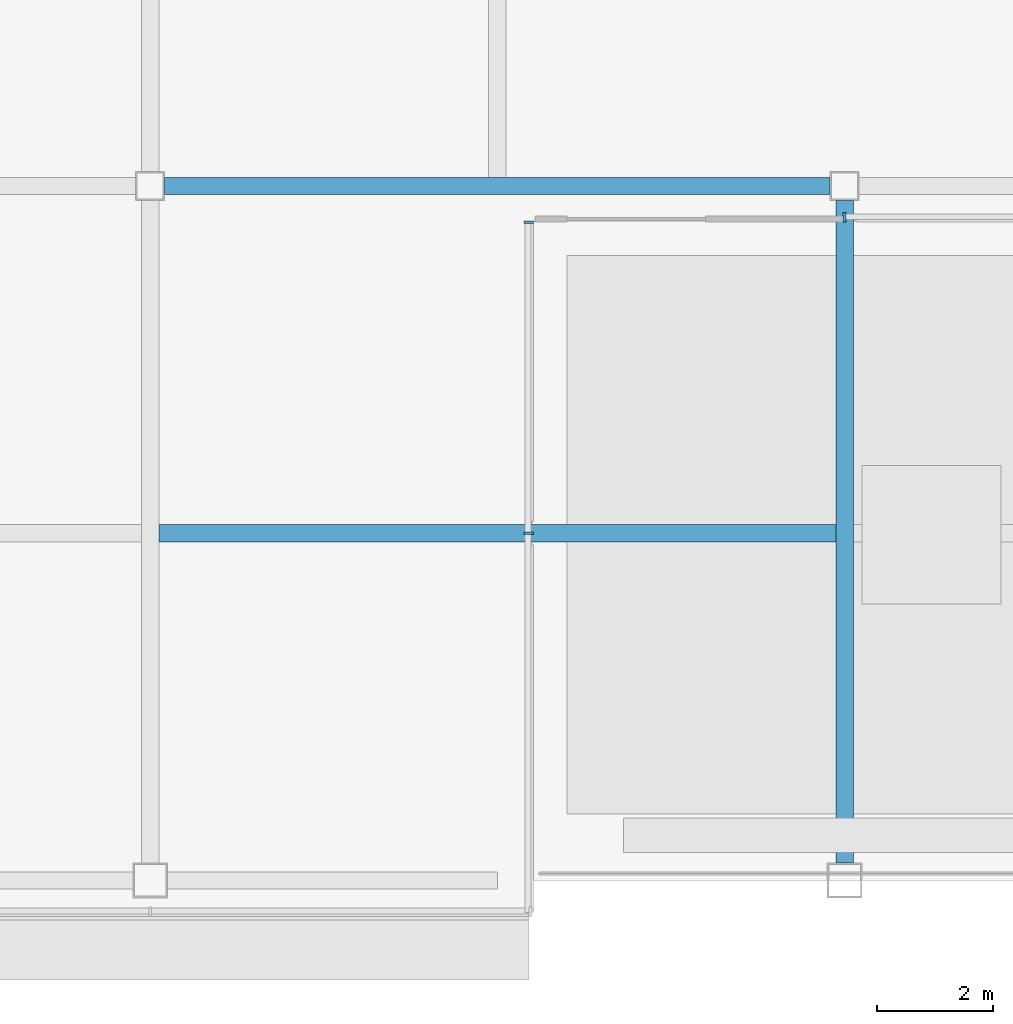
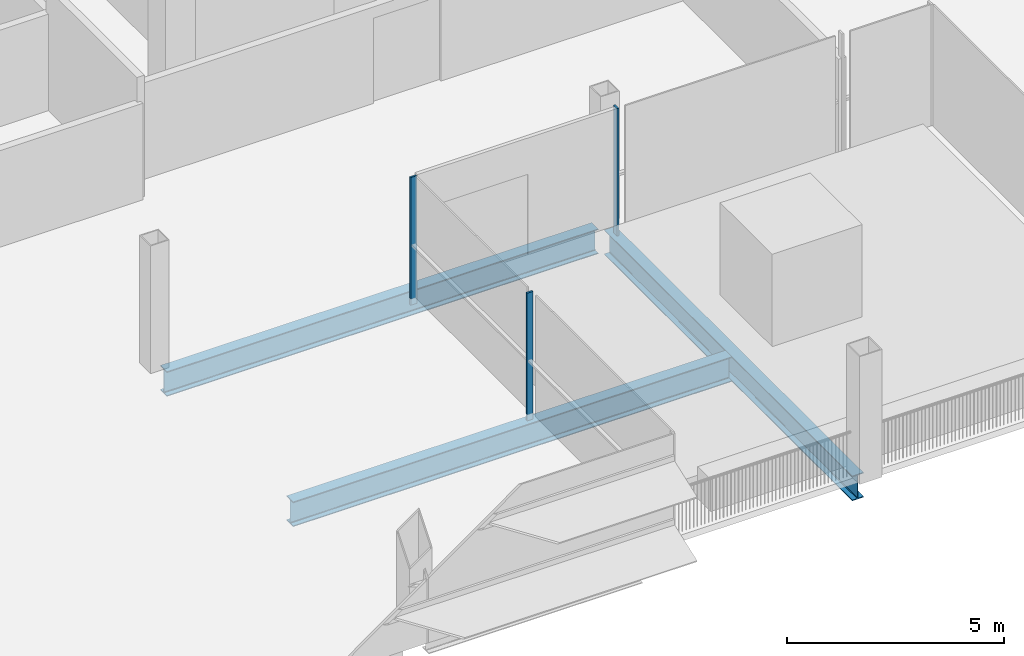
# One storey, part 4 of 27: 3 beams, 3 members, 2 elements without a shape of their own.
"""IFC4 building model written with IfcOpenShell, lengths in metres."""

import ifcopenshell
import ifcopenshell.guid

model = None  # the IFC model being written
_history = None  # IfcOwnerHistory: only IFC2X3 demands one
_inside = {}  # id of a spatial element -> (the spatial element, [elements in it])
_under = {}  # id of a project, library or spatial element -> (it, [spatial elements below it])
_declared = {}  # id of a project -> (the project, [libraries it declares])
_typed = {}  # id of a type object -> (the type object, [elements of that type])
_made_of = {}  # id of a material, layer set ... -> (it, [elements and type objects made of it])


def new_model(schema):
    """Start an empty IFC model of exactly this schema.

    Asked for "IFC4X3", IfcOpenShell would pick the latest addendum, in which some entities
    have other attributes; the version numbers below select the first issue.
    IFC2X3 requires an IfcOwnerHistory on every rooted entity: one is made here for all.
    """
    global model, _history
    if schema == "IFC4X3":
        model = ifcopenshell.file(schema_version=(4, 3, 0, 0))
    else:
        model = ifcopenshell.file(schema=schema)
    _inside.clear()
    _under.clear()
    _declared.clear()
    _typed.clear()
    _made_of.clear()
    _history = None
    if model.schema == "IFC2X3":
        org = make("IfcOrganization", Name="unknown")
        user = make(
            "IfcPersonAndOrganization",
            ThePerson=make("IfcPerson", FamilyName="unknown"),
            TheOrganization=org,
        )
        app = make(
            "IfcApplication",
            ApplicationDeveloper=org,
            Version="unknown",
            ApplicationFullName="unknown",
            ApplicationIdentifier="unknown",
        )
        _history = make(
            "IfcOwnerHistory",
            OwningUser=user,
            OwningApplication=app,
            ChangeAction="ADDED",
            CreationDate=0,
        )
    return model


def make(cls, **values):
    """One entity of the class cls with the attributes given. An attribute that is None is left unset."""
    return model.create_entity(
        cls, **{name: value for name, value in values.items() if value is not None}
    )


def rooted(cls, **values):
    """An entity with a GlobalId (a new one), such as an element, a storey or a relation."""
    return make(cls, GlobalId=ifcopenshell.guid.new(), OwnerHistory=_history, **values)


def si_unit(unit_type, name, prefix=None):
    """IfcSIUnit, for example si_unit("LENGTHUNIT", "METRE", prefix="MILLI")."""
    return make("IfcSIUnit", UnitType=unit_type, Prefix=prefix, Name=name)


def assignment(units):
    """IfcUnitAssignment: the units of a project."""
    return None if units is None else make("IfcUnitAssignment", Units=units)


def point(xyz):
    """IfcCartesianPoint."""
    return None if xyz is None else make("IfcCartesianPoint", Coordinates=xyz)


def direction(xyz):
    """IfcDirection."""
    return None if xyz is None else make("IfcDirection", DirectionRatios=xyz)


def frame(location, z_axis=None, x_axis=None):
    """IfcAxis2Placement3D, a coordinate frame: its origin and axes. An axis left out is left unset."""
    return make(
        "IfcAxis2Placement3D",
        Location=point(location),
        Axis=direction(z_axis),
        RefDirection=direction(x_axis),
    )


def frame_2d(location, x_axis=None):
    """IfcAxis2Placement2D, a coordinate frame in the plane: its origin and x axis."""
    return make(
        "IfcAxis2Placement2D", Location=point(location), RefDirection=direction(x_axis)
    )


def origin():
    """The frame at (0, 0, 0) with its axes left unset."""
    return frame((0.0, 0.0, 0.0))


def origin_2d():
    """The frame at (0, 0) in the plane with its x axis left unset."""
    return frame_2d((0.0, 0.0))


def place(relative_to, where):
    """IfcLocalPlacement: puts the frame where relative to a parent placement (None: the world)."""
    return make(
        "IfcLocalPlacement", PlacementRelTo=relative_to, RelativePlacement=where
    )


def context(
    kind, dimensions, precision=None, world=None, true_north=None, identifier=None
):
    """IfcGeometricRepresentationContext, for example the 3D "Model" context."""
    return make(
        "IfcGeometricRepresentationContext",
        ContextIdentifier=identifier,
        ContextType=kind,
        CoordinateSpaceDimension=dimensions,
        Precision=precision,
        WorldCoordinateSystem=world,
        TrueNorth=true_north,
    )


def subcontext(parent, identifier, kind, view, scale=None):
    """IfcGeometricRepresentationSubContext, for example "Body" below "Model"."""
    return make(
        "IfcGeometricRepresentationSubContext",
        ContextIdentifier=identifier,
        ContextType=kind,
        ParentContext=parent,
        TargetScale=scale,
        TargetView=view,
    )


def project(units=None, contexts=None):
    """IfcProject with its units and contexts."""
    return rooted(
        "IfcProject",
        Name="project",
        RepresentationContexts=contexts,
        UnitsInContext=assignment(units),
    )


def spatial(cls, under=None, at=None, **own):
    """A site, building, storey or space (cls), placed at a placement, below another one or the project."""
    s = rooted(cls, ObjectPlacement=at, **own)
    if under is not None:
        _under.setdefault(under.id(), (under, []))[1].append(s)
    return s


def profile(cls, at=None, kind="AREA", **sizes):
    """A parametric profile (cls). Its sizes go by their IFC names, for example OverallWidth=200.0."""
    return make(cls, ProfileType=kind, Position=at, **sizes)


def rectangle(**sizes):
    """IfcRectangleProfileDef."""
    return profile("IfcRectangleProfileDef", **sizes)


def i_section(**sizes):
    """IfcIShapeProfileDef."""
    return profile("IfcIShapeProfileDef", **sizes)


def extrude(swept, where, along, depth):
    """IfcExtrudedAreaSolid: the profile swept, set in the frame where, extruded along a direction by depth."""
    return make(
        "IfcExtrudedAreaSolid",
        SweptArea=swept,
        Position=where,
        ExtrudedDirection=direction(along),
        Depth=depth,
    )


def shape(context_of_items, identifier, shape_type, items):
    """IfcShapeRepresentation: the items that make up one representation, for example the "Body"."""
    return make(
        "IfcShapeRepresentation",
        ContextOfItems=context_of_items,
        RepresentationIdentifier=identifier,
        RepresentationType=shape_type,
        Items=items,
    )


def material(Name=None, Category=None):
    """IfcMaterial."""
    return make("IfcMaterial", Name=Name, Category=Category)


def material_profile(
    of_material, cross_section, Name=None, Category=None, Priority=None
):
    """IfcMaterialProfile: a cross section and its material."""
    return make(
        "IfcMaterialProfile",
        Name=Name,
        Material=of_material,
        Profile=cross_section,
        Priority=Priority,
        Category=Category,
    )


def profile_set(profiles, Name=None, composite=None):
    """IfcMaterialProfileSet."""
    return make(
        "IfcMaterialProfileSet",
        Name=Name,
        MaterialProfiles=profiles,
        CompositeProfile=composite,
    )


def made_of(thing, what):
    """Note that an element or type object is made of a material, layer set ...; save() writes the relation."""
    if what is not None:
        _made_of.setdefault(what.id(), (what, []))[1].append(thing)
    return thing


def type_object(cls, material=None, **own):
    """A type object (cls), such as IfcWallType, which elements share."""
    return made_of(rooted(cls, **own), material)


def element(
    cls,
    number,
    at=None,
    inside=None,
    cuts=None,
    type_object=None,
    material=None,
    context=None,
    identifier="Body",
    shape_type=None,
    held_by="IfcProductDefinitionShape",
    body=None,
    shapes=None,
    **own,
):
    """One element of the class cls, such as IfcWall. Its Tag is "e" and its number.

    at: its placement. inside: the storey or other place that contains it. cuts: it is an
    opening in that element (IfcRelVoidsElement). A single representation is given by context,
    identifier, shape_type and body (its items); several are given by shapes. held_by: the class
    of the entity that holds the representations. save() writes the other relations.
    """
    e = rooted(cls, Tag="e%d" % number, ObjectPlacement=at, **own)
    if body is not None:
        shapes = [shape(context, identifier, shape_type, body)]
    if shapes is not None:
        e.Representation = make(held_by, Representations=shapes)
    if inside is not None:
        _inside.setdefault(inside.id(), (inside, []))[1].append(e)
    if cuts is not None:
        rooted(
            "IfcRelVoidsElement", RelatingBuildingElement=cuts, RelatedOpeningElement=e
        )
    if type_object is not None:
        _typed.setdefault(type_object.id(), (type_object, []))[1].append(e)
    return made_of(e, material)


def aggregate(whole, parts):
    """IfcRelAggregates: a whole, such as a stair, and the parts it consists of."""
    return rooted("IfcRelAggregates", RelatingObject=whole, RelatedObjects=parts)


def save(model, path):
    """Write the relations noted so far, then the file.

    IfcRelAggregates (storeys below a building ...), IfcRelContainedInSpatialStructure (elements
    in a storey), IfcRelDefinesByType, IfcRelAssociatesMaterial and IfcRelDeclares: one each for
    every whole, place, type object, material and project.
    """
    for whole, parts in _under.values():
        aggregate(whole, parts)
    for where, things in _inside.values():
        rooted(
            "IfcRelContainedInSpatialStructure",
            RelatedElements=things,
            RelatingStructure=where,
        )
    for kind, things in _typed.values():
        rooted("IfcRelDefinesByType", RelatedObjects=things, RelatingType=kind)
    for what, things in _made_of.values():
        rooted("IfcRelAssociatesMaterial", RelatedObjects=things, RelatingMaterial=what)
    for by, libraries in _declared.values():
        rooted("IfcRelDeclares", RelatingContext=by, RelatedDefinitions=libraries)
    model.write(path)


model = new_model("IFC4")

# Units and contexts
model_context = context("Model", 3, precision=1e-05, world=origin(), true_north=direction((0.0, 1.0)))
body_context = subcontext(model_context, "Body", "Model", "MODEL_VIEW")
ifc_project = project(units=[si_unit("LENGTHUNIT", "METRE"), si_unit("AREAUNIT", "SQUARE_METRE"), si_unit("VOLUMEUNIT", "CUBIC_METRE"), si_unit("PLANEANGLEUNIT", "RADIAN"), si_unit("MASSUNIT", "GRAM", prefix="KILO")], contexts=[model_context])

# Site, building, storey
site_placement = place(None, origin())
site = spatial("IfcSite", under=ifc_project, at=site_placement, CompositionType="ELEMENT")
building_placement = place(site_placement, origin())
building = spatial("IfcBuilding", under=site, at=building_placement, Name="Sorahane Residences", CompositionType="ELEMENT")
storey_placement = place(building_placement, frame((0.0, 0.0, 298.0)))
storey = spatial("IfcBuildingStorey", under=building, at=storey_placement, Name="L70", CompositionType="ELEMENT", Elevation=298.0)

# Curtain wall, members
ifc_material_1 = material(Name="Dark low-e glass and black anodised aluminium", Category="aluminium")
curtain_wall_type = type_object("IfcCurtainWallType", Name="Curtain wall CW-1 Typical unitised wall", PredefinedType="NOTDEFINED", material=ifc_material_1)
curtain_wall_1_placement = place(storey_placement, origin())
curtain_wall_1 = element("IfcCurtainWall", 1, at=curtain_wall_1_placement, inside=storey, type_object=curtain_wall_type, Name="CW-1 curtain wall L70 E1", PredefinedType="NOTDEFINED")
ifc_material_2 = material(Name="Black anodised aluminium", Category="aluminium")
ifc_material_profile_1 = material_profile(ifc_material_2, rectangle(XDim=0.159912109375, YDim=0.050048828125, at=origin_2d()), Name="Curtain wall mullion CW-1 black anodised aluminium 50x160")
ifc_profile_set_1 = profile_set([ifc_material_profile_1], Name="Black anodised aluminium")
member_type = type_object("IfcMemberType", Name="Curtain wall mullion CW-1 black anodised aluminium 50x160", PredefinedType="MULLION", material=ifc_profile_set_1)
member_1_placement = place(storey_placement, frame((6.5400390625, 6.0, -0.179931640625), z_axis=(0.0, 0.0, 1.0), x_axis=(1.0, 0.0, 0.0)))
member_1 = element("IfcMember", 2, at=member_1_placement, type_object=member_type, Name="CW-1 mullion L70 E1.2", PredefinedType="MULLION", context=body_context, shape_type="SweptSolid", body=[
    extrude(rectangle(XDim=0.159912109375, YDim=0.050048828125, at=origin_2d()), origin(), (0.0, 0.0, 1.0), 3.599853515625),
])
member_2_placement = place(storey_placement, frame((6.5400390625, 11.375, -0.179931640625), z_axis=(0.0, 0.0, 1.0), x_axis=(1.0, 0.0, 0.0)))
member_2 = element("IfcMember", 3, at=member_2_placement, type_object=member_type, Name="CW-1 mullion L70 E1.3", PredefinedType="MULLION", context=body_context, shape_type="SweptSolid", body=[
    extrude(rectangle(XDim=0.159912109375, YDim=0.050048828125, at=origin_2d()), origin(), (0.0, 0.0, 1.0), 3.599853515625),
])
aggregate(curtain_wall_1, [member_1, member_2])

# Curtain wall, member
curtain_wall_2_placement = place(storey_placement, origin())
curtain_wall_2 = element("IfcCurtainWall", 4, at=curtain_wall_2_placement, inside=storey, type_object=curtain_wall_type, Name="CW-1 curtain wall L70 S2", PredefinedType="NOTDEFINED")
member_3_placement = place(storey_placement, frame((12.0, 11.4599609375, -0.179931640625), z_axis=(0.0, 0.0, 1.0), x_axis=(0.0, -1.0, 0.0)))
member_3 = element("IfcMember", 5, at=member_3_placement, type_object=member_type, Name="CW-1 mullion L70 S2.2", PredefinedType="MULLION", context=body_context, shape_type="SweptSolid", body=[
    extrude(rectangle(XDim=0.159912109375, YDim=0.050048828125, at=origin_2d()), origin(), (0.0, 0.0, 1.0), 3.599853515625),
])
aggregate(curtain_wall_2, [member_3])

# Beams
ifc_material_3 = material(Name="Steel Q355B", Category="steel")
ifc_material_profile_2 = material_profile(ifc_material_3, i_section(OverallWidth=0.300048828125, OverallDepth=0.699951171875, WebThickness=0.012939453125, FlangeThickness=0.02392578125, FilletRadius=0.028076171875, at=origin_2d()), Name="HN 700x300x13x24")
ifc_profile_set_2 = profile_set([ifc_material_profile_2], Name="Steel Q355B")
beam_type = type_object("IfcBeamType", Name="Steel floor beam HN 700x300x13x24 Q355B", PredefinedType="BEAM", material=ifc_profile_set_2)
beam_1_placement = place(storey_placement, frame((0.25, 12.0, -0.530029296875), z_axis=(1.0, 0.0, 0.0), x_axis=(0.0, 1.0, 0.0)))
element("IfcBeam", 6, at=beam_1_placement, inside=storey, type_object=beam_type, Name="Beam L70 007", PredefinedType="BEAM", context=body_context, shape_type="SweptSolid", body=[
    extrude(i_section(OverallWidth=0.300048828125, OverallDepth=0.699951171875, WebThickness=0.012939453125, FlangeThickness=0.02392578125, FilletRadius=0.028076171875, at=origin_2d()), origin(), (0.0, 0.0, 1.0), 11.5),
])
beam_2_placement = place(storey_placement, frame((12.0, 0.300048828125, -0.530029296875), z_axis=(0.0, 1.0, 0.0), x_axis=(-1.0, 0.0, 0.0)))
element("IfcBeam", 7, at=beam_2_placement, inside=storey, type_object=beam_type, Name="Beam L70 037", PredefinedType="BEAM", context=body_context, shape_type="SweptSolid", body=[
    extrude(i_section(OverallWidth=0.300048828125, OverallDepth=0.699951171875, WebThickness=0.012939453125, FlangeThickness=0.02392578125, FilletRadius=0.028076171875, at=origin_2d()), origin(), (0.0, 0.0, 1.0), 11.449951171875),
])
beam_3_placement = place(storey_placement, frame((0.14990234375, 6.0, -0.530029296875), z_axis=(1.0, 0.0, 0.0), x_axis=(0.0, 1.0, 0.0)))
element("IfcBeam", 8, at=beam_3_placement, inside=storey, type_object=beam_type, Name="Beam L70 066", PredefinedType="BEAM", context=body_context, shape_type="SweptSolid", body=[
    extrude(i_section(OverallWidth=0.300048828125, OverallDepth=0.699951171875, WebThickness=0.012939453125, FlangeThickness=0.02392578125, FilletRadius=0.028076171875, at=origin_2d()), origin(), (0.0, 0.0, 1.0), 11.7001953125),
])

save(model, "model.ifc")
